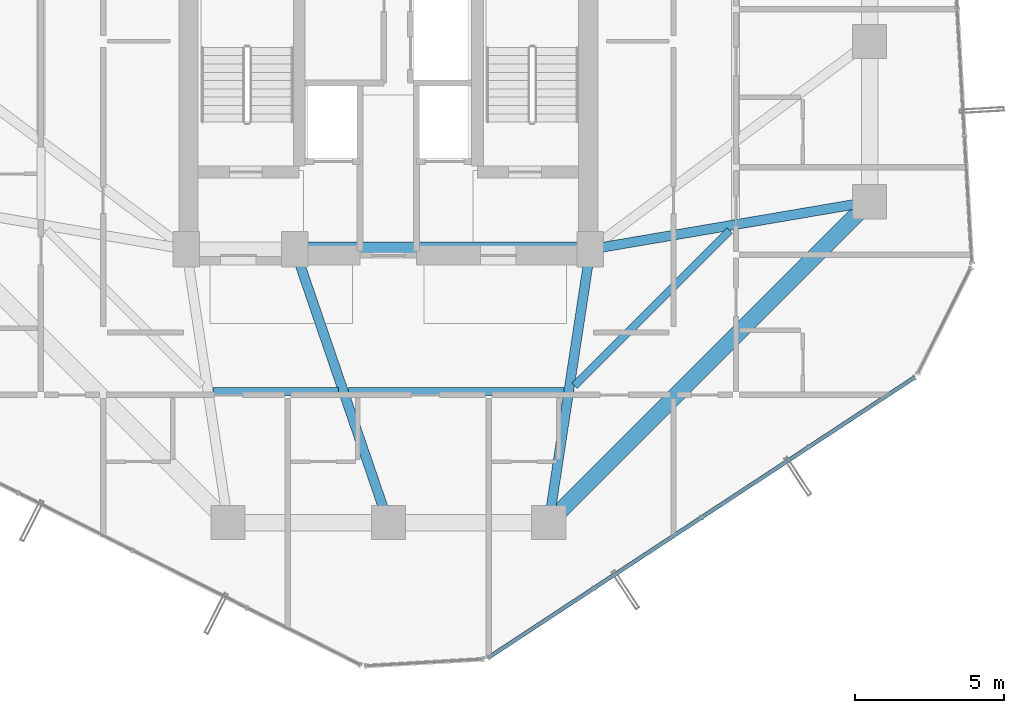
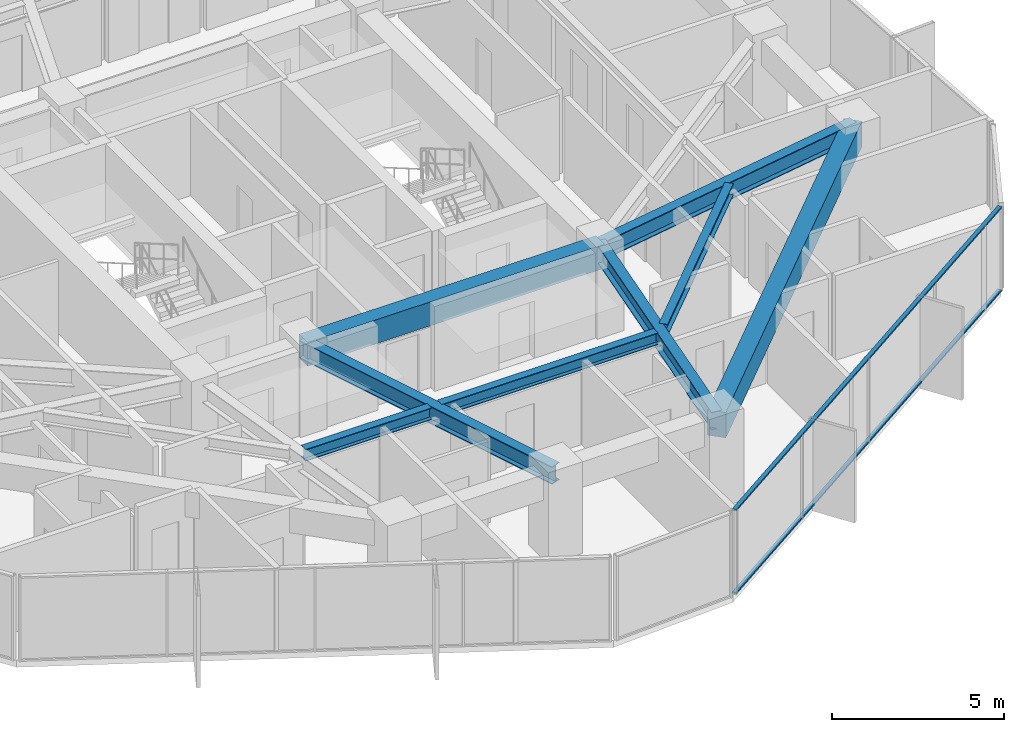
# One storey, part 9 of 33: 8 beams, 2 members, 1 element without a shape of its own.
"""IFC4 building model written with IfcOpenShell, lengths in metres."""

from ifc_helpers import new_model, si_unit, direction, frame, origin, origin_2d, place, context, subcontext, project, spatial, rectangle, hollow_rectangle, i_section, extrude, source, transform, mapped, material, layer, layer_set, material_profile, profile_set, type_object, element, aggregate, save


model = new_model("IFC4")

# Units and contexts
model_context = context("Model", 3, precision=1e-05, world=origin(), true_north=direction((0.0, 1.0)))
body_context = subcontext(model_context, "Body", "Model", "MODEL_VIEW")
ifc_project = project(units=[si_unit("LENGTHUNIT", "METRE"), si_unit("AREAUNIT", "SQUARE_METRE"), si_unit("VOLUMEUNIT", "CUBIC_METRE"), si_unit("PLANEANGLEUNIT", "RADIAN"), si_unit("MASSUNIT", "GRAM", prefix="KILO")], contexts=[model_context])

# Site, building, storey
site_placement = place(None, origin())
site = spatial("IfcSite", under=ifc_project, at=site_placement, CompositionType="ELEMENT")
building_placement = place(site_placement, origin())
building = spatial("IfcBuilding", under=site, at=building_placement, Name="Veraguas Prism Commons", CompositionType="ELEMENT")
storey_placement = place(building_placement, frame((0.0, 0.0, 139.25)))
storey = spatial("IfcBuildingStorey", under=building, at=storey_placement, Name="L39", CompositionType="ELEMENT", Elevation=139.25)

# Beams
ifc_material_1 = material(Name="Concrete C50/60", Category="concrete")
ifc_material_profile_1 = material_profile(ifc_material_1, rectangle(XDim=0.5, YDim=0.85009765625, at=origin_2d()), Name="RC500X850")
ifc_profile_set_1 = profile_set([ifc_material_profile_1], Name="Concrete C50/60")
beam_type_1 = type_object("IfcBeamType", Name="Core Coupling Beam RC 500x850", PredefinedType="BEAM", material=ifc_profile_set_1)
beam_1_placement = place(storey_placement, frame((20.85009765625, 17.0, 2.574951171875), z_axis=(1.0, 0.0, 0.0), x_axis=(0.0, 1.0, 0.0)))
element("IfcBeam", 1, at=beam_1_placement, inside=storey, type_object=beam_type_1, Name="Core Coupling Beam L39-CRS2", PredefinedType="BEAM", context=body_context, shape_type="SweptSolid", body=[
    extrude(rectangle(XDim=0.5, YDim=0.85009765625, at=origin_2d()), origin(), (0.0, 0.0, 1.0), 9.949951171875),
])
ifc_material_2 = material(Name="Steel ASTM A992 Grade 50", Category="steel")
ifc_material_profile_2 = material_profile(ifc_material_2, i_section(OverallWidth=0.260986328125, OverallDepth=0.419921875, WebThickness=0.01171875, FlangeThickness=0.019287109375, at=origin_2d()), Name="W410X114")
ifc_profile_set_2 = profile_set([ifc_material_profile_2], Name="Steel ASTM A992 Grade 50")
beam_type_2 = type_object("IfcBeamType", Name="Lower Floor Joist W410x114", PredefinedType="JOIST", material=ifc_profile_set_2)
beam_2_placement = place(storey_placement, frame((18.091796875, 12.216064453125, 2.7900390625), z_axis=(1.0, 0.0, 0.0), x_axis=(0.0, 1.0, 0.0)))
element("IfcBeam", 2, at=beam_2_placement, inside=storey, type_object=beam_type_2, Name="Composite Floor Joist L39-JS10", PredefinedType="JOIST", context=body_context, shape_type="SweptSolid", body=[
    extrude(i_section(OverallWidth=0.260986328125, OverallDepth=0.419921875, WebThickness=0.01171875, FlangeThickness=0.019287109375, at=origin_2d()), origin(), (0.0, 0.0, 1.0), 4.22509765625),
])
beam_3_placement = place(storey_placement, frame((22.6591796875, 12.216064453125, 2.7900390625), z_axis=(1.0, 0.0, 0.0), x_axis=(0.0, 1.0, 0.0)))
element("IfcBeam", 3, at=beam_3_placement, inside=storey, type_object=beam_type_2, Name="Composite Floor Joist L39-JS11", PredefinedType="JOIST", context=body_context, shape_type="SweptSolid", body=[
    extrude(i_section(OverallWidth=0.260986328125, OverallDepth=0.419921875, WebThickness=0.01171875, FlangeThickness=0.019287109375, at=origin_2d()), origin(), (0.0, 0.0, 1.0), 7.2490234375),
])
beam_4_placement = place(storey_placement, frame((30.265380859375, 12.4091796875, 2.7900390625), z_axis=(0.707090260193, 0.707123301794, 0.0), x_axis=(-0.707123301794, 0.707090260193, 0.0)))
element("IfcBeam", 4, at=beam_4_placement, inside=storey, type_object=beam_type_2, Name="Composite Floor Joist L39-JS12", PredefinedType="JOIST", context=body_context, shape_type="SweptSolid", body=[
    extrude(i_section(OverallWidth=0.260986328125, OverallDepth=0.419921875, WebThickness=0.01171875, FlangeThickness=0.019287109375, at=origin_2d()), origin(), (0.0, 0.0, 1.0), 7.388916015625),
])
ifc_material_profile_3 = material_profile(ifc_material_1, rectangle(XDim=0.550048828125, YDim=0.89990234375, at=origin_2d()), Name="RC550X900")
ifc_profile_set_3 = profile_set([ifc_material_profile_3], Name="Concrete C50/60")
beam_type_3 = type_object("IfcBeamType", Name="Perimeter Spandrel Lower RC 550x900", PredefinedType="SPANDREL", material=ifc_profile_set_3)
beam_5_placement = place(storey_placement, frame((29.39990234375, 7.800048828125, 2.550048828125), z_axis=(0.707106781187, 0.707106781187, 0.0), x_axis=(-0.707106781187, 0.707106781187, 0.0)))
element("IfcBeam", 5, at=beam_5_placement, inside=storey, type_object=beam_type_3, Name="Perimeter Spandrel Beam L39-SP12", PredefinedType="SPANDREL", context=body_context, shape_type="SweptSolid", body=[
    extrude(rectangle(XDim=0.550048828125, YDim=0.89990234375, at=origin_2d()), origin(), (0.0, 0.0, 1.0), 15.273681640625),
])
ifc_material_profile_4 = material_profile(ifc_material_2, i_section(OverallWidth=0.327880859375, OverallDepth=0.6220703125, WebThickness=0.015380859375, FlangeThickness=0.0244140625, at=origin_2d()), Name="W610X195")
ifc_profile_set_4 = profile_set([ifc_material_profile_4], Name="Steel ASTM A992 Grade 50")
beam_type_4 = type_object("IfcBeamType", Name="Zone 2 Radial Girder W610x195", PredefinedType="BEAM", material=ifc_profile_set_4)
beam_6_placement = place(storey_placement, frame((40.199951171875, 18.60009765625, 2.68896484375), z_axis=(-0.985819187151, -0.1678109956, 0.0), x_axis=(0.1678109956, -0.985819187151, 0.0)))
element("IfcBeam", 6, at=beam_6_placement, inside=storey, type_object=beam_type_4, Name="Radial Floor Girder L39-RD01", PredefinedType="BEAM", context=body_context, shape_type="SweptSolid", body=[
    extrude(i_section(OverallWidth=0.327880859375, OverallDepth=0.6220703125, WebThickness=0.015380859375, FlangeThickness=0.0244140625, at=origin_2d()), origin(), (0.0, 0.0, 1.0), 9.53515625),
])
beam_7_placement = place(storey_placement, frame((24.0, 7.800048828125, 2.68896484375), z_axis=(-0.323922482989, 0.946083624747, 0.0), x_axis=(-0.946083624747, -0.323922482989, 0.0)))
element("IfcBeam", 7, at=beam_7_placement, inside=storey, type_object=beam_type_4, Name="Radial Floor Girder L39-RD11", PredefinedType="BEAM", context=body_context, shape_type="SweptSolid", body=[
    extrude(i_section(OverallWidth=0.327880859375, OverallDepth=0.6220703125, WebThickness=0.015380859375, FlangeThickness=0.0244140625, at=origin_2d()), origin(), (0.0, 0.0, 1.0), 9.724365234375),
])
beam_8_placement = place(storey_placement, frame((29.39990234375, 7.800048828125, 2.68896484375), z_axis=(0.150458162136, 0.98861637729, 0.0), x_axis=(-0.98861637729, 0.150458162136, 0.0)))
element("IfcBeam", 8, at=beam_8_placement, inside=storey, type_object=beam_type_4, Name="Radial Floor Girder L39-RD12", PredefinedType="BEAM", context=body_context, shape_type="SweptSolid", body=[
    extrude(i_section(OverallWidth=0.327880859375, OverallDepth=0.6220703125, WebThickness=0.015380859375, FlangeThickness=0.0244140625, at=origin_2d()), origin(), (0.0, 0.0, 1.0), 9.305908203125),
])

# Curtain wall, members
ifc_material_3 = material(Name="Anodised aluminium EN AW-6063 T6", Category="aluminium")
ifc_layer = layer(ifc_material_3, 0.169921875, Name="Unitised Flush Curtain Wall Zone 2", Category="aluminium")
ifc_layer_set = layer_set([ifc_layer], Name="Anodised aluminium EN AW-6063 T6")
curtain_wall_type = type_object("IfcCurtainWallType", Name="Unitised Flush Curtain Wall Zone 2", PredefinedType="NOTDEFINED", material=ifc_layer_set)
curtain_wall_placement = place(storey_placement, origin())
curtain_wall = element("IfcCurtainWall", 9, at=curtain_wall_placement, inside=storey, type_object=curtain_wall_type, Name="Tower Facade Curtain Wall L39-F5", PredefinedType="NOTDEFINED")
ifc_material_profile_5 = material_profile(ifc_material_3, hollow_rectangle(XDim=0.054931640625, YDim=0.135009765625, WallThickness=0.0029296875, at=origin_2d()), Name="AL55X135X3")
ifc_profile_set_5 = profile_set([ifc_material_profile_5], Name="Anodised aluminium EN AW-6063 T6")
member_type = type_object("IfcMemberType", Name="Curtain Wall Transom Standard AL 55x135x3", PredefinedType="USERDEFINED", material=ifc_profile_set_5)
shared_shape = source(origin(), body_context, "Body", "SweptSolid", [
    extrude(hollow_rectangle(XDim=0.054931640625, YDim=0.135009765625, WallThickness=0.0029296875, at=origin_2d()), origin(), (0.0, 0.0, 1.0), 17.174560546875),
])
member_1_placement = place(storey_placement, frame((27.361572265625, 3.253662109375, 0.027587890625), z_axis=(0.835619537255, 0.549308646353, 0.0), x_axis=(0.0, 0.0, 1.0)))
member_1 = element("IfcMember", 10, at=member_1_placement, type_object=member_type, Name="CW-Z2 Transom 1", ObjectType="TRANSOM", PredefinedType="USERDEFINED", context=body_context, shape_type="MappedRepresentation", body=[
    mapped(shared_shape, transform((0.0, 0.0, 0.0), scale=1.0)),
])
member_2_placement = place(storey_placement, frame((27.361572265625, 3.253662109375, 2.972412109375), z_axis=(0.835619537255, 0.549308646353, 0.0), x_axis=(0.0, 0.0, 1.0)))
member_2 = element("IfcMember", 11, at=member_2_placement, type_object=member_type, Name="CW-Z2 Transom 2", ObjectType="TRANSOM", PredefinedType="USERDEFINED", context=body_context, shape_type="MappedRepresentation", body=[
    mapped(shared_shape, transform((0.0, 0.0, 0.0), scale=1.0)),
])
aggregate(curtain_wall, [member_1, member_2])

save(model, "model.ifc")
